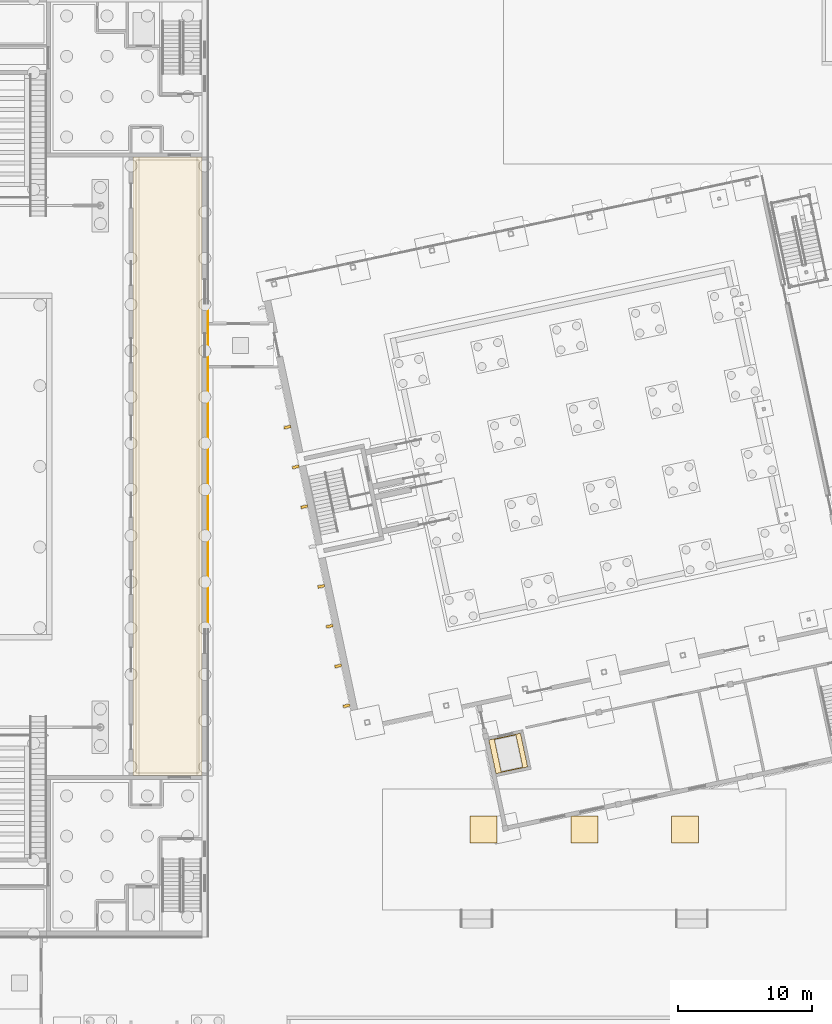
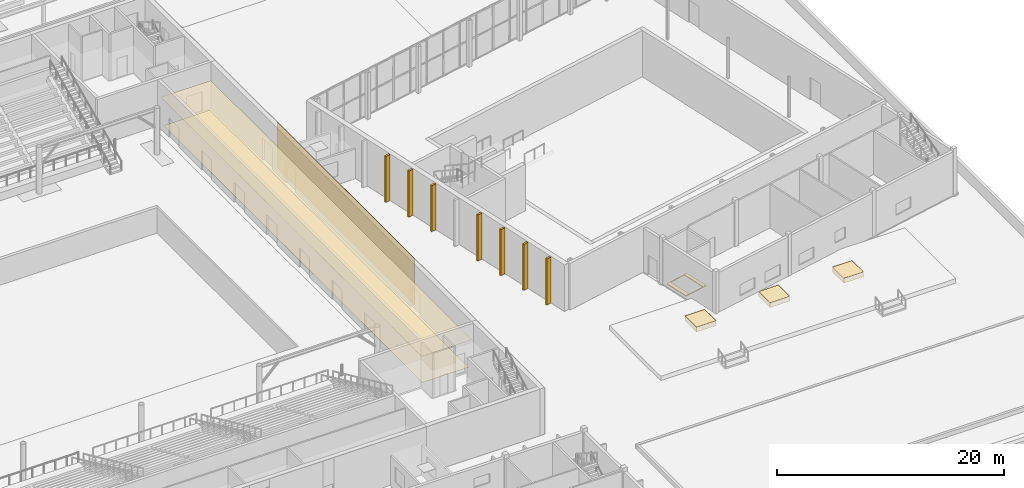
# One storey, part 145 of 157: 7 coverings, 7 shading devices.
"""IFC4 building model written with IfcOpenShell, lengths in metres."""

from ifc_helpers import new_model, si_unit, direction, frame, origin, place, context, subcontext, project, spatial, polyline, outline, extrude, material, layer, layer_set, type_object, element, save


model = new_model("IFC4")

# Units and contexts
model_context = context("Model", 3, precision=1e-05, world=origin(), true_north=direction((0.0, 1.0)))
body_context = subcontext(model_context, "Body", "Model", "MODEL_VIEW")
ifc_project = project(units=[si_unit("LENGTHUNIT", "METRE"), si_unit("AREAUNIT", "SQUARE_METRE"), si_unit("VOLUMEUNIT", "CUBIC_METRE"), si_unit("PLANEANGLEUNIT", "RADIAN"), si_unit("MASSUNIT", "GRAM", prefix="KILO")], contexts=[model_context])

# Site, building, storey
site_placement = place(None, origin())
site = spatial("IfcSite", under=ifc_project, at=site_placement, CompositionType="ELEMENT")
building_placement = place(site_placement, origin())
building = spatial("IfcBuilding", under=site, at=building_placement, Name="Windward Yard Aquatics Centre", CompositionType="ELEMENT")
storey_placement = place(building_placement, origin())
storey = spatial("IfcBuildingStorey", under=building, at=storey_placement, Name="L00", CompositionType="ELEMENT", Elevation=0.0)

# Shading devices
ifc_material_1 = material(Name="Aluminium fin, powder coated", Category="aluminium")
shading_device_type = type_object("IfcShadingDeviceType", Name="D vertical fin 200x500", PredefinedType="USERDEFINED", material=ifc_material_1)
shading_device_1_placement = place(storey_placement, origin())
element("IfcShadingDevice", 1, at=shading_device_1_placement, inside=storey, type_object=shading_device_type, Name="Vertical fin D.W.W.L00.1.1", ObjectType="FIN", PredefinedType="USERDEFINED", context=body_context, shape_type="SweptSolid", body=[
    extrude(outline(polyline([(162.05224609375, 43.23779296875), (162.093994140625, 43.042236328125), (162.5830078125, 43.146240234375), (162.54150390625, 43.341796875), (162.05224609375, 43.23779296875)])), origin(), (0.0, 0.0, 1.0), 4.949951171875),
])
shading_device_2_placement = place(storey_placement, origin())
element("IfcShadingDevice", 2, at=shading_device_2_placement, inside=storey, type_object=shading_device_type, Name="Vertical fin D.W.W.L00.1.2", ObjectType="FIN", PredefinedType="USERDEFINED", context=body_context, shape_type="SweptSolid", body=[
    extrude(outline(polyline([(161.4228515625, 46.198974609375), (161.464599609375, 46.00341796875), (161.95361328125, 46.107421875), (161.912109375, 46.302978515625), (161.4228515625, 46.198974609375)])), origin(), (0.0, 0.0, 1.0), 4.949951171875),
])
shading_device_3_placement = place(storey_placement, origin())
element("IfcShadingDevice", 3, at=shading_device_3_placement, inside=storey, type_object=shading_device_type, Name="Vertical fin D.W.W.L00.1.3", ObjectType="FIN", PredefinedType="USERDEFINED", context=body_context, shape_type="SweptSolid", body=[
    extrude(outline(polyline([(160.79345703125, 49.16015625), (160.835205078125, 48.964599609375), (161.32421875, 49.068603515625), (161.28271484375, 49.26416015625), (160.79345703125, 49.16015625)])), origin(), (0.0, 0.0, 1.0), 4.949951171875),
])
shading_device_4_placement = place(storey_placement, origin())
element("IfcShadingDevice", 4, at=shading_device_4_placement, inside=storey, type_object=shading_device_type, Name="Vertical fin D.W.W.L00.1.4", ObjectType="FIN", PredefinedType="USERDEFINED", context=body_context, shape_type="SweptSolid", body=[
    extrude(outline(polyline([(160.1640625, 52.121337890625), (160.205810546875, 51.925537109375), (160.69482421875, 52.029541015625), (160.6533203125, 52.22509765625), (160.1640625, 52.121337890625)])), origin(), (0.0, 0.0, 1.0), 4.949951171875),
])
shading_device_5_placement = place(storey_placement, origin())
element("IfcShadingDevice", 5, at=shading_device_5_placement, inside=storey, type_object=shading_device_type, Name="Vertical fin D.W.W.L00.1.6", ObjectType="FIN", PredefinedType="USERDEFINED", context=body_context, shape_type="SweptSolid", body=[
    extrude(outline(polyline([(158.9052734375, 58.04345703125), (158.947021484375, 57.847900390625), (159.43603515625, 57.951904296875), (159.394287109375, 58.1474609375), (158.9052734375, 58.04345703125)])), origin(), (0.0, 0.0, 1.0), 4.949951171875),
])
shading_device_6_placement = place(storey_placement, origin())
element("IfcShadingDevice", 6, at=shading_device_6_placement, inside=storey, type_object=shading_device_type, Name="Vertical fin D.W.W.L00.1.7", ObjectType="FIN", PredefinedType="USERDEFINED", context=body_context, shape_type="SweptSolid", body=[
    extrude(outline(polyline([(158.27587890625, 61.004638671875), (158.3173828125, 60.80908203125), (158.806396484375, 60.9130859375), (158.764892578125, 61.108642578125), (158.27587890625, 61.004638671875)])), origin(), (0.0, 0.0, 1.0), 4.949951171875),
])
shading_device_7_placement = place(storey_placement, origin())
element("IfcShadingDevice", 7, at=shading_device_7_placement, inside=storey, type_object=shading_device_type, Name="Vertical fin D.W.W.L00.1.8", ObjectType="FIN", PredefinedType="USERDEFINED", context=body_context, shape_type="SweptSolid", body=[
    extrude(outline(polyline([(157.646484375, 63.9658203125), (157.68798828125, 63.770263671875), (158.177001953125, 63.8740234375), (158.135498046875, 64.069580078125), (157.646484375, 63.9658203125)])), origin(), (0.0, 0.0, 1.0), 4.949951171875),
])

# Coverings
ifc_material_2 = material(Name="Polished screed")
ifc_layer_1 = layer(ifc_material_2, 0.0400390625)
ifc_layer_set_1 = layer_set([ifc_layer_1], Name="H Floor Finish Screed 40")
covering_type_1 = type_object("IfcCoveringType", Name="H Floor Finish Screed 40", PredefinedType="FLOORING", material=ifc_layer_set_1)
covering_1_placement = place(storey_placement, origin())
element("IfcCovering", 8, at=covering_1_placement, inside=storey, type_object=covering_type_1, Name="Exit Passage East floor finish", PredefinedType="FLOORING", context=body_context, shape_type="SweptSolid", body=[
    extrude(outline(polyline([(146.640380859375, 38.199951171875), (146.640380859375, 83.800048828125), (151.35009765625, 83.800048828125), (151.35009765625, 38.199951171875), (146.640380859375, 38.199951171875)])), origin(), (0.0, 0.0, 1.0), 0.02001953125),
])
ifc_material_3 = material(Name="Mineral fibre tile")
ifc_layer_2 = layer(ifc_material_3, 0.02001953125)
ifc_layer_set_2 = layer_set([ifc_layer_2], Name="H Suspended Ceiling 600 x 600")
covering_type_2 = type_object("IfcCoveringType", Name="H Suspended Ceiling 600 x 600", PredefinedType="CEILING", material=ifc_layer_set_2)
covering_2_placement = place(storey_placement, frame((0.0, 0.0, 3.0)))
element("IfcCovering", 9, at=covering_2_placement, inside=storey, type_object=covering_type_2, Name="Exit Passage East ceiling", PredefinedType="CEILING", context=body_context, shape_type="SweptSolid", body=[
    extrude(outline(polyline([(146.44091796875, 38.00048828125), (146.44091796875, 83.99951171875), (151.549560546875, 83.99951171875), (151.549560546875, 38.00048828125), (146.44091796875, 38.00048828125)])), origin(), (0.0, 0.0, 1.0), 0.02001953125),
])
ifc_material_4 = material(Name="Natural limestone cladding", Category="masonry")
ifc_layer_3 = layer(ifc_material_4, 0.0400390625)
ifc_layer_set_3 = layer_set([ifc_layer_3], Name="H natural stone cladding 40")
covering_type_3 = type_object("IfcCoveringType", Name="H natural stone cladding 40", PredefinedType="CLADDING", material=ifc_layer_set_3)
covering_3_placement = place(storey_placement, origin())
element("IfcCovering", 10, at=covering_3_placement, inside=storey, type_object=covering_type_3, Name="Stone cladding panel 163", PredefinedType="CLADDING", context=body_context, shape_type="SweptSolid", body=[
    extrude(outline(polyline([(152.0, 48.89990234375), (152.0, 73.10009765625), (152.0400390625, 73.10009765625), (152.0400390625, 48.89990234375), (152.0, 48.89990234375)])), origin(), (0.0, 0.0, 1.0), 5.0),
])
ifc_material_5 = material(Name="Concrete block paving C35/45", Category="concrete")
ifc_layer_4 = layer(ifc_material_5, 0.080078125)
ifc_layer_set_4 = layer_set([ifc_layer_4], Name="X Concrete Block Paving 80")
covering_type_4 = type_object("IfcCoveringType", Name="X Concrete Block Paving 80", PredefinedType="FLOORING", material=ifc_layer_set_4)
covering_4_placement = place(storey_placement, frame((0.0, 0.0, -0.080078125)))
element("IfcCovering", 11, at=covering_4_placement, inside=storey, type_object=covering_type_4, Name="Garden court paving 7", PredefinedType="FLOORING", context=body_context, shape_type="SweptSolid", body=[
    extrude(outline(polyline([(172.91015625, 40.59033203125), (173.42919921875, 38.1484375), (175.78662109375, 38.6494140625), (175.254150390625, 41.153564453125), (172.99609375, 40.673583984375), (172.96044921875, 40.632568359375), (172.931396484375, 40.606201171875), (172.91015625, 40.59033203125)]), holes=[polyline([(173.314453125, 40.659423828125), (173.8134765625, 38.31201171875), (173.81787109375, 38.30322265625), (173.82568359375, 38.297607421875), (173.837158203125, 38.29638671875), (175.40234375, 38.629150390625), (175.410888671875, 38.633544921875), (175.416748046875, 38.641357421875), (175.417724609375, 38.65283203125), (174.918701171875, 41.00048828125), (174.91552734375, 41.007568359375), (174.909912109375, 41.01318359375), (174.90283203125, 41.01611328125), (174.89501953125, 41.015869140625), (173.329833984375, 40.68310546875), (173.3212890625, 40.678955078125), (173.3154296875, 40.671142578125), (173.314453125, 40.659423828125)])]), origin(), (0.0, 0.0, 1.0), 0.080078125),
])
ifc_material_6 = material(Name="Planting soil")
ifc_layer_5 = layer(ifc_material_6, 0.448, Name="Planting")
ifc_material_7 = material(Name="Filter fabric")
ifc_layer_6 = layer(ifc_material_7, 0.002, Name="Filter")
ifc_material_8 = material(Name="Drainage board")
ifc_layer_7 = layer(ifc_material_8, 0.05, Name="Drainage")
ifc_layer_set_5 = layer_set([ifc_layer_5, ifc_layer_6, ifc_layer_7], Name="X Planting Bed Soil 400")
covering_type_5 = type_object("IfcCoveringType", Name="X Planting Bed Soil 400", PredefinedType="USERDEFINED", material=ifc_layer_set_5)
covering_5_placement = place(storey_placement, frame((0.0, 0.0, -0.10009765625)))
element("IfcCovering", 12, at=covering_5_placement, inside=storey, type_object=covering_type_5, Name="East garden terrace tree pit 1", ObjectType="PLANTING BED", PredefinedType="USERDEFINED", context=body_context, shape_type="SweptSolid", body=[
    extrude(outline(polyline([(171.5, 33.0), (173.5, 33.0), (173.5, 35.0), (171.5, 35.0), (171.5, 33.0)])), origin(), (0.0, 0.0, 1.0), 0.52001953125),
])
covering_6_placement = place(storey_placement, frame((0.0, 0.0, -0.10009765625)))
element("IfcCovering", 13, at=covering_6_placement, inside=storey, type_object=covering_type_5, Name="East garden terrace tree pit 2", ObjectType="PLANTING BED", PredefinedType="USERDEFINED", context=body_context, shape_type="SweptSolid", body=[
    extrude(outline(polyline([(179.0, 33.0), (181.0, 33.0), (181.0, 35.0), (179.0, 35.0), (179.0, 33.0)])), origin(), (0.0, 0.0, 1.0), 0.52001953125),
])
covering_7_placement = place(storey_placement, frame((0.0, 0.0, -0.10009765625)))
element("IfcCovering", 14, at=covering_7_placement, inside=storey, type_object=covering_type_5, Name="East garden terrace tree pit 3", ObjectType="PLANTING BED", PredefinedType="USERDEFINED", context=body_context, shape_type="SweptSolid", body=[
    extrude(outline(polyline([(186.5, 33.0), (188.5, 33.0), (188.5, 35.0), (186.5, 35.0), (186.5, 33.0)])), origin(), (0.0, 0.0, 1.0), 0.52001953125),
])

save(model, "model.ifc")
